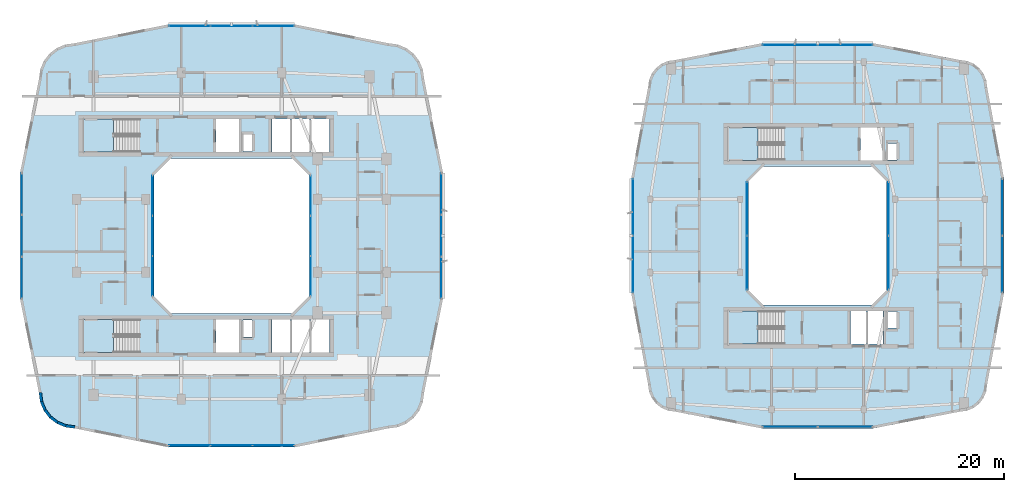
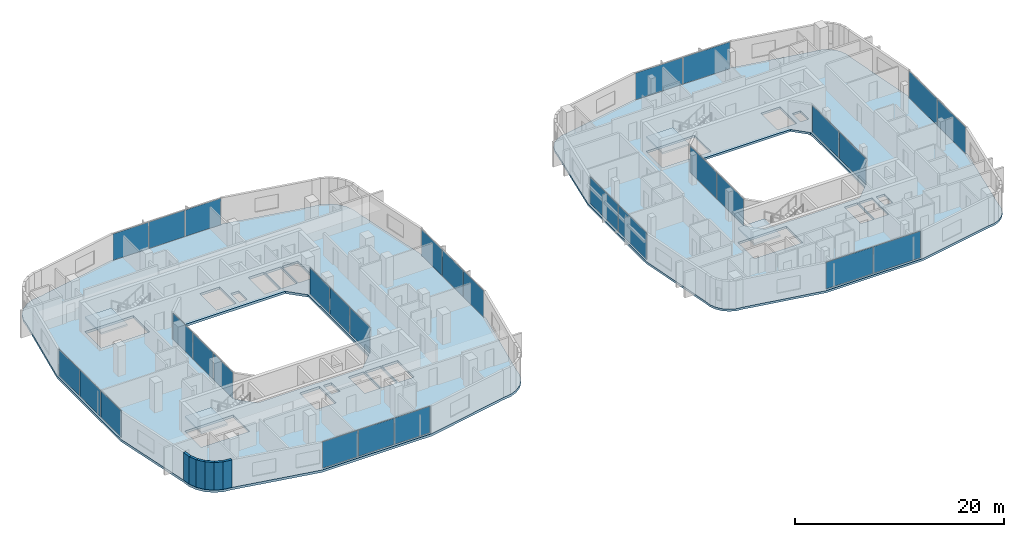
# One storey, part 11 of 26: 30 plates, 6 slabs, 6 walls, 16 elements without a shape of their own.
"""IFC4 building model written with IfcOpenShell, lengths in metres."""

from ifc_helpers import new_model, si_unit, derived_unit, direction, frame, frame_2d, origin, origin_2d, place, context, subcontext, project, spatial, polyline, rectangle, outline, extrude, material, layer, layer_set, type_object, element, aggregate, save


model = new_model("IFC4")

# Units and contexts
model_context = context("Model", 3, precision=1e-05, world=origin(), true_north=direction((0.0, 1.0)))
body_context = subcontext(model_context, "Body", "Model", "MODEL_VIEW")
ifc_project = project(units=[si_unit("LENGTHUNIT", "METRE"), si_unit("AREAUNIT", "SQUARE_METRE"), si_unit("VOLUMEUNIT", "CUBIC_METRE"), si_unit("PLANEANGLEUNIT", "RADIAN"), si_unit("MASSUNIT", "GRAM", prefix="KILO"), derived_unit("THERMALTRANSMITTANCEUNIT", [(si_unit("POWERUNIT", "WATT"), 1), (si_unit("LENGTHUNIT", "METRE"), -2), (si_unit("THERMODYNAMICTEMPERATUREUNIT", "KELVIN"), -1)])], contexts=[model_context])

# Site, building, storey
site_placement = place(None, origin())
site = spatial("IfcSite", under=ifc_project, at=site_placement, CompositionType="ELEMENT")
building_placement = place(site_placement, origin())
building = spatial("IfcBuilding", under=site, at=building_placement, Name="Kivonza Crest Hotel", CompositionType="ELEMENT")
storey_placement = place(building_placement, frame((0.0, 0.0, 109.0)))
storey = spatial("IfcBuildingStorey", under=building, at=storey_placement, Name="L29", CompositionType="ELEMENT", Elevation=109.0)

# Curtain wall, plates
ifc_material_1 = material(Name="Anodised bronze aluminium and low-E double glazing", Category="aluminium")
ifc_layer_1 = layer(ifc_material_1, 0.179931640625)
ifc_layer_set_1 = layer_set([ifc_layer_1], Name="Anodised bronze aluminium and low-E double glazing")
curtain_wall_type_1 = type_object("IfcCurtainWallType", Name="CW-SYS-2", PredefinedType="NOTDEFINED", material=ifc_layer_set_1)
curtain_wall_1_placement = place(storey_placement, origin())
curtain_wall_1 = element("IfcCurtainWall", 1, at=curtain_wall_1_placement, inside=storey, type_object=curtain_wall_type_1, Name="L29 unitised curtain wall CW-T1-L29-08", PredefinedType="NOTDEFINED")
ifc_material_2 = material(Name="Solar-control low-E double glazing", Category="glass")
ifc_layer_2 = layer(ifc_material_2, 0.028076171875)
ifc_layer_set_2 = layer_set([ifc_layer_2], Name="Solar-control low-E double glazing")
plate_type = type_object("IfcPlateType", Name="CW-PNL-28", PredefinedType="CURTAIN_PANEL", material=ifc_layer_set_2)
plate_1_placement = place(storey_placement, frame((17.0029296875, 4.9599609375, 0.06494140625), z_axis=(0.0, 0.0, 1.0), x_axis=(1.0, 0.0, 0.0)))
plate_1 = element("IfcPlate", 2, at=plate_1_placement, type_object=plate_type, Name="CW-2 panel 1.1", PredefinedType="CURTAIN_PANEL", context=body_context, shape_type="SweptSolid", body=[
    extrude(rectangle(XDim=3.915771484375, YDim=0.028076171875, at=origin_2d()), origin(), (0.0, 0.0, 1.0), 3.090087890625),
])
plate_2_placement = place(storey_placement, frame((21.0, 4.9599609375, 0.06494140625), z_axis=(0.0, 0.0, 1.0), x_axis=(1.0, 0.0, 0.0)))
plate_2 = element("IfcPlate", 3, at=plate_2_placement, type_object=plate_type, Name="CW-2 panel 2.1", PredefinedType="CURTAIN_PANEL", context=body_context, shape_type="SweptSolid", body=[
    extrude(rectangle(XDim=3.9482421875, YDim=0.028076171875, at=origin_2d()), origin(), (0.0, 0.0, 1.0), 3.090087890625),
])
plate_3_placement = place(storey_placement, frame((24.9970703125, 4.9599609375, 0.06494140625), z_axis=(0.0, 0.0, 1.0), x_axis=(1.0, 0.0, 0.0)))
plate_3 = element("IfcPlate", 4, at=plate_3_placement, type_object=plate_type, Name="CW-2 panel 3.1", PredefinedType="CURTAIN_PANEL", context=body_context, shape_type="SweptSolid", body=[
    extrude(rectangle(XDim=3.915771484375, YDim=0.028076171875, at=origin_2d()), origin(), (0.0, 0.0, 1.0), 3.090087890625),
])
aggregate(curtain_wall_1, [plate_1, plate_2, plate_3])

curtain_wall_2_placement = place(storey_placement, origin())
curtain_wall_2 = element("IfcCurtainWall", 5, at=curtain_wall_2_placement, inside=storey, type_object=curtain_wall_type_1, Name="L29 unitised curtain wall CW-T1-L29-17", PredefinedType="NOTDEFINED")
plate_4_placement = place(storey_placement, frame((41.0400390625, 21.0029296875, 0.06494140625), z_axis=(0.0, 0.0, 1.0), x_axis=(0.0, 1.0, 0.0)))
plate_4 = element("IfcPlate", 6, at=plate_4_placement, type_object=plate_type, Name="CW-2 panel 1.1", PredefinedType="CURTAIN_PANEL", context=body_context, shape_type="SweptSolid", body=[
    extrude(rectangle(XDim=3.915771484375, YDim=0.028076171875, at=origin_2d()), origin(), (0.0, 0.0, 1.0), 3.090087890625),
])
plate_5_placement = place(storey_placement, frame((41.0400390625, 25.0, 0.06494140625), z_axis=(0.0, 0.0, 1.0), x_axis=(0.0, 1.0, 0.0)))
plate_5 = element("IfcPlate", 7, at=plate_5_placement, type_object=plate_type, Name="CW-2 panel 2.1", PredefinedType="CURTAIN_PANEL", context=body_context, shape_type="SweptSolid", body=[
    extrude(rectangle(XDim=3.9482421875, YDim=0.028076171875, at=origin_2d()), origin(), (0.0, 0.0, 1.0), 3.090087890625),
])
plate_6_placement = place(storey_placement, frame((41.0400390625, 28.9970703125, 0.06494140625), z_axis=(0.0, 0.0, 1.0), x_axis=(0.0, 1.0, 0.0)))
plate_6 = element("IfcPlate", 8, at=plate_6_placement, type_object=plate_type, Name="CW-2 panel 3.1", PredefinedType="CURTAIN_PANEL", context=body_context, shape_type="SweptSolid", body=[
    extrude(rectangle(XDim=3.915771484375, YDim=0.028076171875, at=origin_2d()), origin(), (0.0, 0.0, 1.0), 3.090087890625),
])
aggregate(curtain_wall_2, [plate_4, plate_5, plate_6])

curtain_wall_3_placement = place(storey_placement, origin())
curtain_wall_3 = element("IfcCurtainWall", 9, at=curtain_wall_3_placement, inside=storey, type_object=curtain_wall_type_1, Name="L29 unitised curtain wall CW-T1-L29-26", PredefinedType="NOTDEFINED")
plate_7_placement = place(storey_placement, frame((24.9970703125, 45.0400390625, 0.06494140625), z_axis=(0.0, 0.0, 1.0), x_axis=(-1.0, 0.0, 0.0)))
plate_7 = element("IfcPlate", 10, at=plate_7_placement, type_object=plate_type, Name="CW-2 panel 1.1", PredefinedType="CURTAIN_PANEL", context=body_context, shape_type="SweptSolid", body=[
    extrude(rectangle(XDim=3.915771484375, YDim=0.028076171875, at=origin_2d()), origin(), (0.0, 0.0, 1.0), 3.090087890625),
])
plate_8_placement = place(storey_placement, frame((21.0, 45.0400390625, 0.06494140625), z_axis=(0.0, 0.0, 1.0), x_axis=(-1.0, 0.0, 0.0)))
plate_8 = element("IfcPlate", 11, at=plate_8_placement, type_object=plate_type, Name="CW-2 panel 2.1", PredefinedType="CURTAIN_PANEL", context=body_context, shape_type="SweptSolid", body=[
    extrude(rectangle(XDim=3.9482421875, YDim=0.028076171875, at=origin_2d()), origin(), (0.0, 0.0, 1.0), 3.090087890625),
])
plate_9_placement = place(storey_placement, frame((17.0029296875, 45.0400390625, 0.06494140625), z_axis=(0.0, 0.0, 1.0), x_axis=(-1.0, 0.0, 0.0)))
plate_9 = element("IfcPlate", 12, at=plate_9_placement, type_object=plate_type, Name="CW-2 panel 3.1", PredefinedType="CURTAIN_PANEL", context=body_context, shape_type="SweptSolid", body=[
    extrude(rectangle(XDim=3.915771484375, YDim=0.028076171875, at=origin_2d()), origin(), (0.0, 0.0, 1.0), 3.090087890625),
])
aggregate(curtain_wall_3, [plate_7, plate_8, plate_9])

curtain_wall_4_placement = place(storey_placement, origin())
curtain_wall_4 = element("IfcCurtainWall", 13, at=curtain_wall_4_placement, inside=storey, type_object=curtain_wall_type_1, Name="L29 unitised curtain wall CW-T1-L29-35", PredefinedType="NOTDEFINED")
plate_10_placement = place(storey_placement, frame((0.9599609375, 28.9970703125, 0.06494140625), z_axis=(0.0, 0.0, 1.0), x_axis=(0.0, -1.0, 0.0)))
plate_10 = element("IfcPlate", 14, at=plate_10_placement, type_object=plate_type, Name="CW-2 panel 1.1", PredefinedType="CURTAIN_PANEL", context=body_context, shape_type="SweptSolid", body=[
    extrude(rectangle(XDim=3.915771484375, YDim=0.028076171875, at=origin_2d()), origin(), (0.0, 0.0, 1.0), 3.090087890625),
])
plate_11_placement = place(storey_placement, frame((0.9599609375, 25.0, 0.06494140625), z_axis=(0.0, 0.0, 1.0), x_axis=(0.0, -1.0, 0.0)))
plate_11 = element("IfcPlate", 15, at=plate_11_placement, type_object=plate_type, Name="CW-2 panel 2.1", PredefinedType="CURTAIN_PANEL", context=body_context, shape_type="SweptSolid", body=[
    extrude(rectangle(XDim=3.9482421875, YDim=0.028076171875, at=origin_2d()), origin(), (0.0, 0.0, 1.0), 3.090087890625),
])
plate_12_placement = place(storey_placement, frame((0.9599609375, 21.0029296875, 0.06494140625), z_axis=(0.0, 0.0, 1.0), x_axis=(0.0, -1.0, 0.0)))
plate_12 = element("IfcPlate", 16, at=plate_12_placement, type_object=plate_type, Name="CW-2 panel 3.1", PredefinedType="CURTAIN_PANEL", context=body_context, shape_type="SweptSolid", body=[
    extrude(rectangle(XDim=3.915771484375, YDim=0.028076171875, at=origin_2d()), origin(), (0.0, 0.0, 1.0), 3.090087890625),
])
aggregate(curtain_wall_4, [plate_10, plate_11, plate_12])

ifc_layer_3 = layer(ifc_material_1, 0.159912109375)
ifc_layer_set_3 = layer_set([ifc_layer_3], Name="Anodised bronze aluminium and low-E double glazing")
curtain_wall_type_2 = type_object("IfcCurtainWallType", Name="CW-SYS-5", PredefinedType="NOTDEFINED", material=ifc_layer_set_3)
curtain_wall_5_placement = place(storey_placement, origin())
curtain_wall_5 = element("IfcCurtainWall", 17, at=curtain_wall_5_placement, inside=storey, type_object=curtain_wall_type_2, Name="L29 unitised curtain wall CW-WELL-T1-L29-3", PredefinedType="NOTDEFINED")
plate_13_placement = place(storey_placement, frame((28.56005859375, 21.149658203125, 0.06494140625), z_axis=(0.0, 0.0, 1.0), x_axis=(0.0, 1.0, 0.0)))
plate_13 = element("IfcPlate", 18, at=plate_13_placement, type_object=plate_type, Name="CW-5 panel 1.1", PredefinedType="CURTAIN_PANEL", context=body_context, shape_type="SweptSolid", body=[
    extrude(rectangle(XDim=3.769287109375, YDim=0.028076171875, at=origin_2d()), origin(), (0.0, 0.0, 1.0), 3.090087890625),
])
plate_14_placement = place(storey_placement, frame((28.56005859375, 25.0, 0.06494140625), z_axis=(0.0, 0.0, 1.0), x_axis=(0.0, 1.0, 0.0)))
plate_14 = element("IfcPlate", 19, at=plate_14_placement, type_object=plate_type, Name="CW-5 panel 2.1", PredefinedType="CURTAIN_PANEL", context=body_context, shape_type="SweptSolid", body=[
    extrude(rectangle(XDim=3.8017578125, YDim=0.028076171875, at=origin_2d()), origin(), (0.0, 0.0, 1.0), 3.090087890625),
])
plate_15_placement = place(storey_placement, frame((28.56005859375, 28.850341796875, 0.06494140625), z_axis=(0.0, 0.0, 1.0), x_axis=(0.0, 1.0, 0.0)))
plate_15 = element("IfcPlate", 20, at=plate_15_placement, type_object=plate_type, Name="CW-5 panel 3.1", PredefinedType="CURTAIN_PANEL", context=body_context, shape_type="SweptSolid", body=[
    extrude(rectangle(XDim=3.769287109375, YDim=0.028076171875, at=origin_2d()), origin(), (0.0, 0.0, 1.0), 3.090087890625),
])
aggregate(curtain_wall_5, [plate_13, plate_14, plate_15])

curtain_wall_6_placement = place(storey_placement, origin())
curtain_wall_6 = element("IfcCurtainWall", 21, at=curtain_wall_6_placement, inside=storey, type_object=curtain_wall_type_2, Name="L29 unitised curtain wall CW-WELL-T1-L29-7", PredefinedType="NOTDEFINED")
plate_16_placement = place(storey_placement, frame((13.43994140625, 28.850341796875, 0.06494140625), z_axis=(0.0, 0.0, 1.0), x_axis=(0.0, -1.0, 0.0)))
plate_16 = element("IfcPlate", 22, at=plate_16_placement, type_object=plate_type, Name="CW-5 panel 1.1", PredefinedType="CURTAIN_PANEL", context=body_context, shape_type="SweptSolid", body=[
    extrude(rectangle(XDim=3.769287109375, YDim=0.028076171875, at=origin_2d()), origin(), (0.0, 0.0, 1.0), 3.090087890625),
])
plate_17_placement = place(storey_placement, frame((13.43994140625, 25.0, 0.06494140625), z_axis=(0.0, 0.0, 1.0), x_axis=(0.0, -1.0, 0.0)))
plate_17 = element("IfcPlate", 23, at=plate_17_placement, type_object=plate_type, Name="CW-5 panel 2.1", PredefinedType="CURTAIN_PANEL", context=body_context, shape_type="SweptSolid", body=[
    extrude(rectangle(XDim=3.8017578125, YDim=0.028076171875, at=origin_2d()), origin(), (0.0, 0.0, 1.0), 3.090087890625),
])
plate_18_placement = place(storey_placement, frame((13.43994140625, 21.149658203125, 0.06494140625), z_axis=(0.0, 0.0, 1.0), x_axis=(0.0, -1.0, 0.0)))
plate_18 = element("IfcPlate", 24, at=plate_18_placement, type_object=plate_type, Name="CW-5 panel 3.1", PredefinedType="CURTAIN_PANEL", context=body_context, shape_type="SweptSolid", body=[
    extrude(rectangle(XDim=3.769287109375, YDim=0.028076171875, at=origin_2d()), origin(), (0.0, 0.0, 1.0), 3.090087890625),
])
aggregate(curtain_wall_6, [plate_16, plate_17, plate_18])

ifc_layer_4 = layer(ifc_material_1, 0.179931640625)
ifc_layer_set_4 = layer_set([ifc_layer_4], Name="Anodised bronze aluminium and low-E double glazing")
curtain_wall_type_3 = type_object("IfcCurtainWallType", Name="CW-SYS-4", PredefinedType="NOTDEFINED", material=ifc_layer_set_4)
curtain_wall_7_placement = place(storey_placement, origin())
curtain_wall_7 = element("IfcCurtainWall", 25, at=curtain_wall_7_placement, inside=storey, type_object=curtain_wall_type_3, Name="L29 unitised curtain wall CW-T2-L29-08", PredefinedType="NOTDEFINED")
plate_19_placement = place(storey_placement, frame((74.3662109375, 6.760009765625, 0.06494140625), z_axis=(0.0, 0.0, 1.0), x_axis=(1.0, 0.0, 0.0)))
plate_19 = element("IfcPlate", 26, at=plate_19_placement, type_object=plate_type, Name="CW-4 panel 1.1", PredefinedType="CURTAIN_PANEL", context=body_context, shape_type="SweptSolid", body=[
    extrude(rectangle(XDim=5.202392578125, YDim=0.028076171875, at=origin_2d()), origin(), (0.0, 0.0, 1.0), 3.1201171875),
])
plate_20_placement = place(storey_placement, frame((79.6337890625, 6.760009765625, 0.06494140625), z_axis=(0.0, 0.0, 1.0), x_axis=(1.0, 0.0, 0.0)))
plate_20 = element("IfcPlate", 27, at=plate_20_placement, type_object=plate_type, Name="CW-4 panel 2.1", PredefinedType="CURTAIN_PANEL", context=body_context, shape_type="SweptSolid", body=[
    extrude(rectangle(XDim=5.202392578125, YDim=0.028076171875, at=origin_2d()), origin(), (0.0, 0.0, 1.0), 3.1201171875),
])
aggregate(curtain_wall_7, [plate_19, plate_20])

curtain_wall_8_placement = place(storey_placement, origin())
curtain_wall_8 = element("IfcCurtainWall", 28, at=curtain_wall_8_placement, inside=storey, type_object=curtain_wall_type_3, Name="L29 unitised curtain wall CW-T2-L29-17", PredefinedType="NOTDEFINED")
plate_21_placement = place(storey_placement, frame((94.639892578125, 22.2763671875, 0.06494140625), z_axis=(0.0, 0.0, 1.0), x_axis=(0.0, 1.0, 0.0)))
plate_21 = element("IfcPlate", 29, at=plate_21_placement, type_object=plate_type, Name="CW-4 panel 1.1", PredefinedType="CURTAIN_PANEL", context=body_context, shape_type="SweptSolid", body=[
    extrude(rectangle(XDim=5.382568359375, YDim=0.028076171875, at=origin_2d()), origin(), (0.0, 0.0, 1.0), 3.1201171875),
])
plate_22_placement = place(storey_placement, frame((94.639892578125, 27.7236328125, 0.06494140625), z_axis=(0.0, 0.0, 1.0), x_axis=(0.0, 1.0, 0.0)))
plate_22 = element("IfcPlate", 30, at=plate_22_placement, type_object=plate_type, Name="CW-4 panel 2.1", PredefinedType="CURTAIN_PANEL", context=body_context, shape_type="SweptSolid", body=[
    extrude(rectangle(XDim=5.382568359375, YDim=0.028076171875, at=origin_2d()), origin(), (0.0, 0.0, 1.0), 3.1201171875),
])
aggregate(curtain_wall_8, [plate_21, plate_22])

curtain_wall_9_placement = place(storey_placement, origin())
curtain_wall_9 = element("IfcCurtainWall", 31, at=curtain_wall_9_placement, inside=storey, type_object=curtain_wall_type_3, Name="L29 unitised curtain wall CW-T2-L29-26", PredefinedType="NOTDEFINED")
plate_23_placement = place(storey_placement, frame((79.6337890625, 43.239990234375, 0.06494140625), z_axis=(0.0, 0.0, 1.0), x_axis=(-1.0, 0.0, 0.0)))
plate_23 = element("IfcPlate", 32, at=plate_23_placement, type_object=plate_type, Name="CW-4 panel 1.1", PredefinedType="CURTAIN_PANEL", context=body_context, shape_type="SweptSolid", body=[
    extrude(rectangle(XDim=5.202392578125, YDim=0.028076171875, at=origin_2d()), origin(), (0.0, 0.0, 1.0), 3.1201171875),
])
plate_24_placement = place(storey_placement, frame((74.3662109375, 43.239990234375, 0.06494140625), z_axis=(0.0, 0.0, 1.0), x_axis=(-1.0, 0.0, 0.0)))
plate_24 = element("IfcPlate", 33, at=plate_24_placement, type_object=plate_type, Name="CW-4 panel 2.1", PredefinedType="CURTAIN_PANEL", context=body_context, shape_type="SweptSolid", body=[
    extrude(rectangle(XDim=5.202392578125, YDim=0.028076171875, at=origin_2d()), origin(), (0.0, 0.0, 1.0), 3.1201171875),
])
aggregate(curtain_wall_9, [plate_23, plate_24])

curtain_wall_10_placement = place(storey_placement, origin())
curtain_wall_10 = element("IfcCurtainWall", 34, at=curtain_wall_10_placement, inside=storey, type_object=curtain_wall_type_3, Name="L29 unitised curtain wall CW-T2-L29-35", PredefinedType="NOTDEFINED")
plate_25_placement = place(storey_placement, frame((59.360107421875, 27.7236328125, 0.06494140625), z_axis=(0.0, 0.0, 1.0), x_axis=(0.0, -1.0, 0.0)))
plate_25 = element("IfcPlate", 35, at=plate_25_placement, type_object=plate_type, Name="CW-4 panel 1.1", PredefinedType="CURTAIN_PANEL", context=body_context, shape_type="SweptSolid", body=[
    extrude(rectangle(XDim=5.382568359375, YDim=0.028076171875, at=origin_2d()), origin(), (0.0, 0.0, 1.0), 3.1201171875),
])
plate_26_placement = place(storey_placement, frame((59.360107421875, 22.2763671875, 0.06494140625), z_axis=(0.0, 0.0, 1.0), x_axis=(0.0, -1.0, 0.0)))
plate_26 = element("IfcPlate", 36, at=plate_26_placement, type_object=plate_type, Name="CW-4 panel 2.1", PredefinedType="CURTAIN_PANEL", context=body_context, shape_type="SweptSolid", body=[
    extrude(rectangle(XDim=5.382568359375, YDim=0.028076171875, at=origin_2d()), origin(), (0.0, 0.0, 1.0), 3.1201171875),
])
aggregate(curtain_wall_10, [plate_25, plate_26])

curtain_wall_11_placement = place(storey_placement, origin())
curtain_wall_11 = element("IfcCurtainWall", 37, at=curtain_wall_11_placement, inside=storey, type_object=curtain_wall_type_2, Name="L29 unitised curtain wall CW-WELL-T2-L29-3", PredefinedType="NOTDEFINED")
plate_27_placement = place(storey_placement, frame((83.760009765625, 22.416259765625, 0.06494140625), z_axis=(0.0, 0.0, 1.0), x_axis=(0.0, 1.0, 0.0)))
plate_27 = element("IfcPlate", 38, at=plate_27_placement, type_object=plate_type, Name="CW-5 panel 1.1", PredefinedType="CURTAIN_PANEL", context=body_context, shape_type="SweptSolid", body=[
    extrude(rectangle(XDim=5.1025390625, YDim=0.028076171875, at=origin_2d()), origin(), (0.0, 0.0, 1.0), 3.1201171875),
])
plate_28_placement = place(storey_placement, frame((83.760009765625, 27.583740234375, 0.06494140625), z_axis=(0.0, 0.0, 1.0), x_axis=(0.0, 1.0, 0.0)))
plate_28 = element("IfcPlate", 39, at=plate_28_placement, type_object=plate_type, Name="CW-5 panel 2.1", PredefinedType="CURTAIN_PANEL", context=body_context, shape_type="SweptSolid", body=[
    extrude(rectangle(XDim=5.1025390625, YDim=0.028076171875, at=origin_2d()), origin(), (0.0, 0.0, 1.0), 3.1201171875),
])
aggregate(curtain_wall_11, [plate_27, plate_28])

curtain_wall_12_placement = place(storey_placement, origin())
curtain_wall_12 = element("IfcCurtainWall", 40, at=curtain_wall_12_placement, inside=storey, type_object=curtain_wall_type_2, Name="L29 unitised curtain wall CW-WELL-T2-L29-7", PredefinedType="NOTDEFINED")
plate_29_placement = place(storey_placement, frame((70.239990234375, 27.583740234375, 0.06494140625), z_axis=(0.0, 0.0, 1.0), x_axis=(0.0, -1.0, 0.0)))
plate_29 = element("IfcPlate", 41, at=plate_29_placement, type_object=plate_type, Name="CW-5 panel 1.1", PredefinedType="CURTAIN_PANEL", context=body_context, shape_type="SweptSolid", body=[
    extrude(rectangle(XDim=5.1025390625, YDim=0.028076171875, at=origin_2d()), origin(), (0.0, 0.0, 1.0), 3.1201171875),
])
plate_30_placement = place(storey_placement, frame((70.239990234375, 22.416259765625, 0.06494140625), z_axis=(0.0, 0.0, 1.0), x_axis=(0.0, -1.0, 0.0)))
plate_30 = element("IfcPlate", 42, at=plate_30_placement, type_object=plate_type, Name="CW-5 panel 2.1", PredefinedType="CURTAIN_PANEL", context=body_context, shape_type="SweptSolid", body=[
    extrude(rectangle(XDim=5.1025390625, YDim=0.028076171875, at=origin_2d()), origin(), (0.0, 0.0, 1.0), 3.1201171875),
])
aggregate(curtain_wall_12, [plate_29, plate_30])

# Slab
ifc_material_3 = material(Name="Concrete C40/50", Category="concrete")
ifc_layer_5 = layer(ifc_material_3, 0.280029296875)
ifc_layer_set_5 = layer_set([ifc_layer_5], Name="Concrete C40/50")
slab_type_1 = type_object("IfcSlabType", Name="SL-HTL-280", PredefinedType="FLOOR", material=ifc_layer_set_5)
slab_1_placement = place(storey_placement, frame((0.0, 0.0, -0.280029296875)))
element("IfcSlab", 43, at=slab_1_placement, inside=storey, type_object=slab_type_1, Name="Tower T1 L29 floor slab", PredefinedType="FLOOR", context=body_context, shape_type="SweptSolid", body=[
    extrude(outline(polyline([(2.60009765625, 10.0), (2.716064453125, 9.1201171875), (3.055908203125, 8.300048828125), (3.595947265625, 7.595947265625), (4.300048828125, 7.055908203125), (5.1201171875, 6.716064453125), (6.0, 6.60009765625), (14.93994140625, 4.800048828125), (27.06005859375, 4.800048828125), (36.0, 6.60009765625), (36.8798828125, 6.716064453125), (37.699951171875, 7.055908203125), (38.404052734375, 7.595947265625), (38.944091796875, 8.300048828125), (39.283935546875, 9.1201171875), (39.39990234375, 10.0), (41.199951171875, 18.93994140625), (41.199951171875, 31.06005859375), (39.39990234375, 40.0), (39.283935546875, 40.8798828125), (38.944091796875, 41.699951171875), (38.404052734375, 42.404052734375), (37.699951171875, 42.944091796875), (36.8798828125, 43.283935546875), (36.0, 43.39990234375), (27.06005859375, 45.199951171875), (14.93994140625, 45.199951171875), (6.0, 43.39990234375), (5.1201171875, 43.283935546875), (4.300048828125, 42.944091796875), (3.595947265625, 42.404052734375), (3.055908203125, 41.699951171875), (2.716064453125, 40.8798828125), (2.60009765625, 40.0), (0.800048828125, 31.06005859375), (0.800048828125, 18.93994140625), (2.60009765625, 10.0)]), holes=[polyline([(15.199951171875, 17.60009765625), (26.800048828125, 17.60009765625), (28.39990234375, 19.199951171875), (28.39990234375, 30.800048828125), (26.800048828125, 32.39990234375), (15.199951171875, 32.39990234375), (13.60009765625, 30.800048828125), (13.60009765625, 19.199951171875), (15.199951171875, 17.60009765625)]), polyline([(6.800048828125, 33.02001953125), (12.159912109375, 33.02001953125), (12.159912109375, 36.159912109375), (6.800048828125, 36.159912109375), (6.800048828125, 33.02001953125)]), polyline([(6.800048828125, 13.860107421875), (12.159912109375, 13.860107421875), (12.159912109375, 17.0), (6.800048828125, 17.0), (6.800048828125, 13.860107421875)]), polyline([(22.080078125, 33.0400390625), (22.969970703125, 33.0400390625), (22.969970703125, 34.679931640625), (22.080078125, 34.679931640625), (22.080078125, 33.0400390625)]), polyline([(22.080078125, 15.320068359375), (22.969970703125, 15.320068359375), (22.969970703125, 16.9599609375), (22.080078125, 16.9599609375), (22.080078125, 15.320068359375)]), polyline([(19.5, 33.0), (21.699951171875, 33.0), (21.699951171875, 36.159912109375), (19.5, 36.159912109375), (19.5, 33.0)]), polyline([(24.860107421875, 33.0), (26.60693359375, 33.0), (26.60693359375, 36.159912109375), (24.860107421875, 36.159912109375), (24.860107421875, 33.0)]), polyline([(26.72705078125, 33.0), (28.472900390625, 33.0), (28.472900390625, 36.159912109375), (26.72705078125, 36.159912109375), (26.72705078125, 33.0)]), polyline([(28.593017578125, 33.0), (30.340087890625, 33.0), (30.340087890625, 36.159912109375), (28.593017578125, 36.159912109375), (28.593017578125, 33.0)]), polyline([(19.5, 13.840087890625), (21.699951171875, 13.840087890625), (21.699951171875, 17.0), (19.5, 17.0), (19.5, 13.840087890625)]), polyline([(24.860107421875, 13.840087890625), (26.60693359375, 13.840087890625), (26.60693359375, 17.0), (24.860107421875, 17.0), (24.860107421875, 13.840087890625)]), polyline([(26.72705078125, 13.840087890625), (28.472900390625, 13.840087890625), (28.472900390625, 17.0), (26.72705078125, 17.0), (26.72705078125, 13.840087890625)]), polyline([(28.593017578125, 13.840087890625), (30.340087890625, 13.840087890625), (30.340087890625, 17.0), (28.593017578125, 17.0), (28.593017578125, 13.840087890625)])]), origin(), (0.0, 0.0, 1.0), 0.280029296875),
])

# Stair, slab
stair_type = type_object("IfcStairType", Name="ST-DL-20R", PredefinedType="HALF_TURN_STAIR", material=ifc_material_3)
stair_1_placement = place(storey_placement, origin())
stair_1 = element("IfcStair", 44, at=stair_1_placement, inside=storey, type_object=stair_type, Name="L29 Protected Exit Stair ST-T1-N", PredefinedType="HALF_TURN_STAIR")
ifc_layer_6 = layer(ifc_material_3, 0.199951171875)
ifc_layer_set_6 = layer_set([ifc_layer_6], Name="Concrete C40/50")
slab_type_2 = type_object("IfcSlabType", Name="SL-LAND-200", PredefinedType="LANDING", material=ifc_layer_set_6)
slab_2_placement = place(storey_placement, frame((0.0, 0.0, 1.550048828125)))
slab_2 = element("IfcSlab", 45, at=slab_2_placement, type_object=slab_type_2, Name="ST-T1-N landing 1", PredefinedType="LANDING", context=body_context, shape_type="SweptSolid", body=[
    extrude(outline(polyline([(9.719970703125, 36.159912109375), (6.800048828125, 36.159912109375), (6.800048828125, 33.02001953125), (9.719970703125, 33.02001953125), (9.719970703125, 36.159912109375)])), origin(), (0.0, 0.0, 1.0), 0.199951171875),
])
aggregate(stair_1, [slab_2])

stair_2_placement = place(storey_placement, origin())
stair_2 = element("IfcStair", 46, at=stair_2_placement, inside=storey, type_object=stair_type, Name="L29 Protected Exit Stair ST-T1-S", PredefinedType="HALF_TURN_STAIR")
slab_3_placement = place(storey_placement, frame((0.0, 0.0, 1.550048828125)))
slab_3 = element("IfcSlab", 47, at=slab_3_placement, type_object=slab_type_2, Name="ST-T1-S landing 1", PredefinedType="LANDING", context=body_context, shape_type="SweptSolid", body=[
    extrude(outline(polyline([(9.719970703125, 17.0), (6.800048828125, 17.0), (6.800048828125, 13.860107421875), (9.719970703125, 13.860107421875), (9.719970703125, 17.0)])), origin(), (0.0, 0.0, 1.0), 0.199951171875),
])
aggregate(stair_2, [slab_3])

stair_3_placement = place(storey_placement, origin())
stair_3 = element("IfcStair", 48, at=stair_3_placement, inside=storey, type_object=stair_type, Name="L29 Protected Exit Stair ST-T2-N", PredefinedType="HALF_TURN_STAIR")
slab_4_placement = place(storey_placement, frame((0.0, 0.0, 1.550048828125)))
slab_4 = element("IfcSlab", 49, at=slab_4_placement, type_object=slab_type_2, Name="ST-T2-N landing 1", PredefinedType="LANDING", context=body_context, shape_type="SweptSolid", body=[
    extrude(outline(polyline([(71.320068359375, 35.360107421875), (68.39990234375, 35.360107421875), (68.39990234375, 32.219970703125), (71.320068359375, 32.219970703125), (71.320068359375, 35.360107421875)])), origin(), (0.0, 0.0, 1.0), 0.199951171875),
])
aggregate(stair_3, [slab_4])

stair_4_placement = place(storey_placement, origin())
stair_4 = element("IfcStair", 50, at=stair_4_placement, inside=storey, type_object=stair_type, Name="L29 Protected Exit Stair ST-T2-S", PredefinedType="HALF_TURN_STAIR")
slab_5_placement = place(storey_placement, frame((0.0, 0.0, 1.550048828125)))
slab_5 = element("IfcSlab", 51, at=slab_5_placement, type_object=slab_type_2, Name="ST-T2-S landing 1", PredefinedType="LANDING", context=body_context, shape_type="SweptSolid", body=[
    extrude(outline(polyline([(71.320068359375, 17.800048828125), (68.39990234375, 17.800048828125), (68.39990234375, 14.659912109375), (71.320068359375, 14.659912109375), (71.320068359375, 17.800048828125)])), origin(), (0.0, 0.0, 1.0), 0.199951171875),
])
aggregate(stair_4, [slab_5])

# Slab
ifc_layer_7 = layer(ifc_material_3, 0.25)
ifc_layer_set_7 = layer_set([ifc_layer_7], Name="Concrete C40/50")
slab_type_3 = type_object("IfcSlabType", Name="SL-RES-250", PredefinedType="FLOOR", material=ifc_layer_set_7)
slab_6_placement = place(storey_placement, frame((0.0, 0.0, -0.25)))
element("IfcSlab", 52, at=slab_6_placement, inside=storey, type_object=slab_type_3, Name="Companion Tower T2 L29 floor slab", PredefinedType="FLOOR", context=body_context, shape_type="SweptSolid", body=[
    extrude(outline(polyline([(60.800048828125, 10.800048828125), (60.888916015625, 10.126953125), (61.14794921875, 9.5), (61.56201171875, 8.9619140625), (62.10009765625, 8.548095703125), (62.72705078125, 8.2890625), (63.39990234375, 8.199951171875), (71.659912109375, 6.60009765625), (82.340087890625, 6.60009765625), (90.60009765625, 8.199951171875), (91.27294921875, 8.2890625), (91.89990234375, 8.548095703125), (92.43798828125, 8.9619140625), (92.85205078125, 9.5), (93.111083984375, 10.126953125), (93.199951171875, 10.800048828125), (94.800048828125, 19.47998046875), (94.800048828125, 30.52001953125), (93.199951171875, 39.199951171875), (93.111083984375, 39.873046875), (92.85205078125, 40.5), (92.43798828125, 41.0380859375), (91.89990234375, 41.451904296875), (91.27294921875, 41.7109375), (90.60009765625, 41.800048828125), (82.340087890625, 43.39990234375), (71.659912109375, 43.39990234375), (63.39990234375, 41.800048828125), (62.72705078125, 41.7109375), (62.10009765625, 41.451904296875), (61.56201171875, 41.0380859375), (61.14794921875, 40.5), (60.888916015625, 39.873046875), (60.800048828125, 39.199951171875), (59.199951171875, 30.52001953125), (59.199951171875, 19.47998046875), (60.800048828125, 10.800048828125)]), holes=[polyline([(71.800048828125, 18.39990234375), (82.199951171875, 18.39990234375), (83.60009765625, 19.800048828125), (83.60009765625, 30.199951171875), (82.199951171875, 31.60009765625), (71.800048828125, 31.60009765625), (70.39990234375, 30.199951171875), (70.39990234375, 19.800048828125), (71.800048828125, 18.39990234375)]), polyline([(68.39990234375, 32.219970703125), (73.760009765625, 32.219970703125), (73.760009765625, 35.360107421875), (68.39990234375, 35.360107421875), (68.39990234375, 32.219970703125)]), polyline([(68.39990234375, 14.659912109375), (73.760009765625, 14.659912109375), (73.760009765625, 17.800048828125), (68.39990234375, 17.800048828125), (68.39990234375, 14.659912109375)]), polyline([(83.679931640625, 32.239990234375), (84.570068359375, 32.239990234375), (84.570068359375, 33.820068359375), (83.679931640625, 33.820068359375), (83.679931640625, 32.239990234375)]), polyline([(83.679931640625, 16.179931640625), (84.570068359375, 16.179931640625), (84.570068359375, 17.760009765625), (83.679931640625, 17.760009765625), (83.679931640625, 16.179931640625)]), polyline([(81.10009765625, 32.199951171875), (83.199951171875, 32.199951171875), (83.199951171875, 35.360107421875), (81.10009765625, 35.360107421875), (81.10009765625, 32.199951171875)]), polyline([(80.159912109375, 14.639892578125), (81.639892578125, 14.639892578125), (81.639892578125, 17.800048828125), (80.159912109375, 17.800048828125), (80.159912109375, 14.639892578125)]), polyline([(81.760009765625, 14.639892578125), (83.239990234375, 14.639892578125), (83.239990234375, 17.800048828125), (81.760009765625, 17.800048828125), (81.760009765625, 14.639892578125)])]), origin(), (0.0, 0.0, 1.0), 0.25),
])

# Walls
ifc_material_4 = material(Name="Precast concrete C40/50", Category="concrete")
ifc_layer_8 = layer(ifc_material_4, 0.260009765625)
ifc_layer_set_8 = layer_set([ifc_layer_8], Name="Precast concrete C40/50")
wall_type = type_object("IfcWallType", Name="WL-EXT-260", PredefinedType="STANDARD", material=ifc_layer_set_8)
wall_1_placement = place(storey_placement, frame((2.72802734375, 10.02490234375, 0.0), z_axis=(0.0, 0.0, 1.0), x_axis=(0.130953706898, -0.991388484223, 0.0)))
element("IfcWall", 53, at=wall_1_placement, inside=storey, type_object=wall_type, Name="L29 T1 exterior insulated wall 1", PredefinedType="STANDARD", context=body_context, shape_type="SweptSolid", body=[
    extrude(rectangle(XDim=0.885498046875, YDim=0.260009765625, at=frame_2d((0.44287109375, 0.0))), origin(), (0.0, 0.0, 1.0), 3.219970703125),
])
wall_2_placement = place(storey_placement, frame((2.825927734375, 9.193115234375, 0.0), z_axis=(0.0, 0.0, 1.0), x_axis=(0.383290660547, -0.923627776508, 0.0)))
element("IfcWall", 54, at=wall_2_placement, inside=storey, type_object=wall_type, Name="L29 T1 exterior insulated wall 2", PredefinedType="STANDARD", context=body_context, shape_type="SweptSolid", body=[
    extrude(rectangle(XDim=0.9033203125, YDim=0.260009765625, at=frame_2d((0.45166015625, 0.0))), origin(), (0.0, 0.0, 1.0), 3.219970703125),
])
wall_3_placement = place(storey_placement, frame((3.14404296875, 8.39892578125, 0.0), z_axis=(0.0, 0.0, 1.0), x_axis=(0.608624690463, -0.793458244748, 0.0)))
element("IfcWall", 55, at=wall_3_placement, inside=storey, type_object=wall_type, Name="L29 T1 exterior insulated wall 3", PredefinedType="STANDARD", context=body_context, shape_type="SweptSolid", body=[
    extrude(rectangle(XDim=0.902099609375, YDim=0.260009765625, at=frame_2d((0.451171875, 0.0))), origin(), (0.0, 0.0, 1.0), 3.219970703125),
])
wall_4_placement = place(storey_placement, frame((3.655029296875, 7.714111328125, 0.0), z_axis=(0.0, 0.0, 1.0), x_axis=(0.793558456666, -0.608494022858, 0.0)))
element("IfcWall", 56, at=wall_4_placement, inside=storey, type_object=wall_type, Name="L29 T1 exterior insulated wall 4", PredefinedType="STANDARD", context=body_context, shape_type="SweptSolid", body=[
    extrude(rectangle(XDim=0.90234375, YDim=0.260009765625, at=frame_2d((0.451171875, 0.0))), origin(), (0.0, 0.0, 1.0), 3.219970703125),
])
wall_5_placement = place(storey_placement, frame((4.326904296875, 7.18603515625, 0.0), z_axis=(0.0, 0.0, 1.0), x_axis=(0.923683767999, -0.383155708213, 0.0)))
element("IfcWall", 57, at=wall_5_placement, inside=storey, type_object=wall_type, Name="L29 T1 exterior insulated wall 5", PredefinedType="STANDARD", context=body_context, shape_type="SweptSolid", body=[
    extrude(rectangle(XDim=0.90283203125, YDim=0.260009765625, at=frame_2d((0.451416015625, 0.0))), origin(), (0.0, 0.0, 1.0), 3.219970703125),
])
wall_6_placement = place(storey_placement, frame((5.112060546875, 6.847900390625, 0.0), z_axis=(0.0, 0.0, 1.0), x_axis=(0.991487658083, -0.130200706103, 0.0)))
element("IfcWall", 58, at=wall_6_placement, inside=storey, type_object=wall_type, Name="L29 T1 exterior insulated wall 6", PredefinedType="STANDARD", context=body_context, shape_type="SweptSolid", body=[
    extrude(rectangle(XDim=0.920654296875, YDim=0.260009765625, at=frame_2d((0.46044921875, 0.0))), origin(), (0.0, 0.0, 1.0), 3.219970703125),
])

save(model, "model.ifc")
